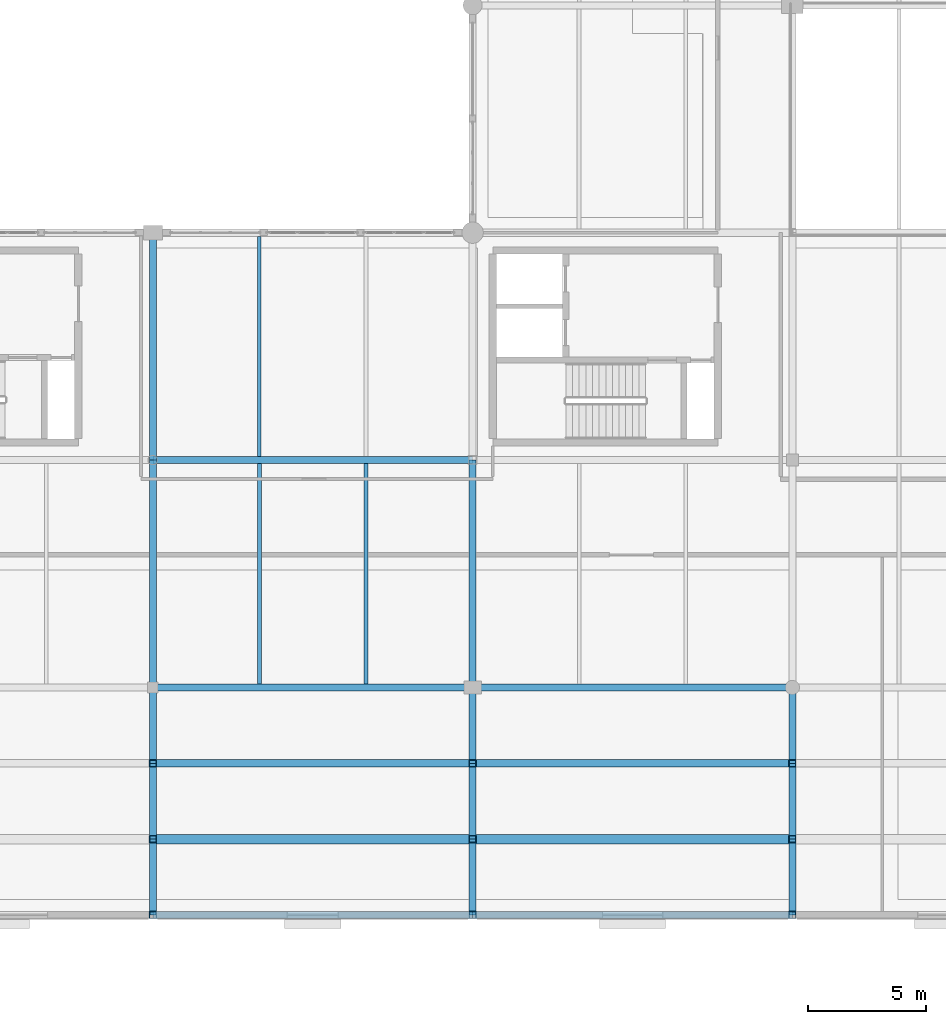
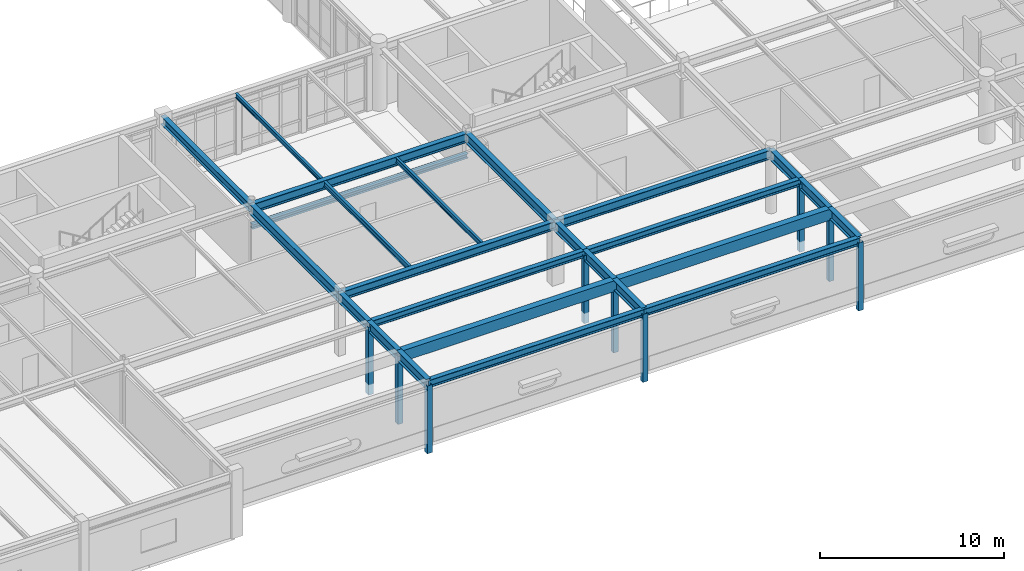
# One storey, part 8 of 61: 25 beams, 9 members.
"""IFC4 building model written with IfcOpenShell, lengths in metres."""

from ifc_helpers import new_model, si_unit, direction, frame, origin, origin_2d, place, context, subcontext, project, spatial, rectangle, hollow_rectangle, i_section, extrude, material, material_profile, profile_set, type_object, element, save


model = new_model("IFC4")

# Units and contexts
model_context = context("Model", 3, precision=1e-05, world=origin(), true_north=direction((0.0, 1.0)))
body_context = subcontext(model_context, "Body", "Model", "MODEL_VIEW")
ifc_project = project(units=[si_unit("LENGTHUNIT", "METRE"), si_unit("AREAUNIT", "SQUARE_METRE"), si_unit("VOLUMEUNIT", "CUBIC_METRE"), si_unit("PLANEANGLEUNIT", "RADIAN"), si_unit("MASSUNIT", "GRAM", prefix="KILO")], contexts=[model_context])

# Site, building, storey
site_placement = place(None, origin())
site = spatial("IfcSite", under=ifc_project, at=site_placement, CompositionType="ELEMENT")
building_placement = place(site_placement, origin())
building = spatial("IfcBuilding", under=site, at=building_placement, Name="Fikremerkos Civic Library", CompositionType="ELEMENT")
storey_placement = place(building_placement, frame((0.0, 0.0, 14.39990234375)))
storey = spatial("IfcBuildingStorey", under=building, at=storey_placement, Name="L03", CompositionType="ELEMENT", Elevation=14.39990234375)

# Beams
ifc_material_1 = material(Name="Steel S355", Category="steel")
ifc_material_profile_1 = material_profile(ifc_material_1, i_section(OverallWidth=0.169921875, OverallDepth=0.360107421875, WebThickness=0.008056640625, FlangeThickness=0.0126953125, FilletRadius=0.01806640625, at=origin_2d()), Name="IPE 360")
ifc_profile_set_1 = profile_set([ifc_material_profile_1], Name="Steel S355")
beam_type_1 = type_object("IfcBeamType", Name="Floor joist JS-09 IPE 360", PredefinedType="JOIST", material=ifc_profile_set_1)
beam_1_placement = place(storey_placement, frame((37.199951171875, 12.14990234375, 3.97998046875), z_axis=(0.0, 1.0, 0.0), x_axis=(-1.0, 0.0, 0.0)))
element("IfcBeam", 1, at=beam_1_placement, inside=storey, type_object=beam_type_1, Name="Floor joist JS-09 L03 #538", PredefinedType="JOIST", context=body_context, shape_type="SweptSolid", body=[
    extrude(i_section(OverallWidth=0.169921875, OverallDepth=0.360107421875, WebThickness=0.008056640625, FlangeThickness=0.0126953125, FilletRadius=0.01806640625, at=origin_2d()), origin(), (0.0, 0.0, 1.0), 9.300048828125),
])
ifc_material_profile_2 = material_profile(ifc_material_1, i_section(OverallWidth=0.159912109375, OverallDepth=0.330078125, WebThickness=0.007568359375, FlangeThickness=0.011474609375, FilletRadius=0.01806640625, at=origin_2d()), Name="IPE 330")
ifc_profile_set_2 = profile_set([ifc_material_profile_2], Name="Steel S355")
beam_type_2 = type_object("IfcBeamType", Name="Floor joist JS-10 IPE 330", PredefinedType="JOIST", material=ifc_profile_set_2)
beam_2_placement = place(storey_placement, frame((41.699951171875, 12.14990234375, 3.9951171875), z_axis=(0.0, 1.0, 0.0), x_axis=(-1.0, 0.0, 0.0)))
element("IfcBeam", 2, at=beam_2_placement, inside=storey, type_object=beam_type_2, Name="Floor joist JS-10 L03 #539", PredefinedType="JOIST", context=body_context, shape_type="SweptSolid", body=[
    extrude(i_section(OverallWidth=0.159912109375, OverallDepth=0.330078125, WebThickness=0.007568359375, FlangeThickness=0.011474609375, FilletRadius=0.01806640625, at=origin_2d()), origin(), (0.0, 0.0, 1.0), 9.300048828125),
])
ifc_material_profile_3 = material_profile(ifc_material_1, i_section(OverallWidth=0.14990234375, OverallDepth=0.300048828125, WebThickness=0.007080078125, FlangeThickness=0.0107421875, FilletRadius=0.014892578125, at=origin_2d()), Name="IPE 300")
ifc_profile_set_3 = profile_set([ifc_material_profile_3], Name="Steel S355")
beam_type_3 = type_object("IfcBeamType", Name="Floor joist JS-11 IPE 300", PredefinedType="JOIST", material=ifc_profile_set_3)
beam_3_placement = place(storey_placement, frame((37.199951171875, 21.75, 4.010009765625), z_axis=(0.0, 1.0, 0.0), x_axis=(-1.0, 0.0, 0.0)))
element("IfcBeam", 3, at=beam_3_placement, inside=storey, type_object=beam_type_3, Name="Floor joist JS-11 L03 #540", PredefinedType="JOIST", context=body_context, shape_type="SweptSolid", body=[
    extrude(i_section(OverallWidth=0.14990234375, OverallDepth=0.300048828125, WebThickness=0.007080078125, FlangeThickness=0.0107421875, FilletRadius=0.014892578125, at=origin_2d()), origin(), (0.0, 0.0, 1.0), 9.300048828125),
])

# Members
ifc_material_profile_4 = material_profile(ifc_material_1, hollow_rectangle(XDim=0.300048828125, YDim=0.300048828125, WallThickness=0.012451171875, at=origin_2d()), Name="SHS 300x300x12.5")
ifc_profile_set_4 = profile_set([ifc_material_profile_4], Name="Steel S355")
member_type = type_object("IfcMemberType", Name="Frame post PST-01 SHS 300x300x12.5", PredefinedType="POST", material=ifc_profile_set_4)
for number, where, z_axis, x_axis, name in (
    (4, (32.699951171875, 8.800048828125, -0.664794921875), (0.0, 0.0, 1.0), (1.0, 0.0, 0.0), "Cantilever frame post PST-01 L03 X=32.7 Y=8.8"),
    (5, (32.699951171875, 5.60009765625, -0.664794921875), (0.0, 0.0, 1.0), (1.0, 0.0, 0.0), "Cantilever frame post PST-01 L03 X=32.7 Y=5.6"),
    (6, (32.699951171875, 2.39990234375, -0.664794921875), (0.0, 0.0, 1.0), (1.0, 0.0, 0.0), "Cantilever frame post PST-01 L03 X=32.7 Y=2.4"),
    (7, (46.199951171875, 8.800048828125, -0.664794921875), (0.0, 0.0, 1.0), (1.0, 0.0, 0.0), "Cantilever frame post PST-01 L03 X=46.2 Y=8.8"),
    (8, (46.199951171875, 5.60009765625, -0.664794921875), (0.0, 0.0, 1.0), (1.0, 0.0, 0.0), "Cantilever frame post PST-01 L03 X=46.2 Y=5.6"),
    (9, (46.199951171875, 2.39990234375, -0.664794921875), (0.0, 0.0, 1.0), (1.0, 0.0, 0.0), "Cantilever frame post PST-01 L03 X=46.2 Y=2.4"),
    (10, (59.699951171875, 8.800048828125, -0.664794921875), (0.0, 0.0, 1.0), (1.0, 0.0, 0.0), "Cantilever frame post PST-01 L03 X=59.7 Y=8.8"),
    (11, (59.699951171875, 5.60009765625, -0.664794921875), (0.0, 0.0, 1.0), (1.0, 0.0, 0.0), "Cantilever frame post PST-01 L03 X=59.7 Y=5.6"),
    (12, (59.699951171875, 2.39990234375, -0.664794921875), (0.0, 0.0, 1.0), (1.0, 0.0, 0.0), "Cantilever frame post PST-01 L03 X=59.7 Y=2.4"),
):
    element("IfcMember", number, at=place(storey_placement, frame(where, z_axis=z_axis, x_axis=x_axis)), inside=storey, type_object=member_type, Name=name, PredefinedType="POST", context=body_context, shape_type="SweptSolid", body=[
        extrude(hollow_rectangle(XDim=0.300048828125, YDim=0.300048828125, WallThickness=0.012451171875, at=origin_2d()), origin(), (0.0, 0.0, 1.0), 4.5),
    ])

# Beams
ifc_material_profile_5 = material_profile(ifc_material_1, i_section(OverallWidth=0.300048828125, OverallDepth=0.2900390625, WebThickness=0.008544921875, FlangeThickness=0.013916015625, FilletRadius=0.027099609375, at=origin_2d()), Name="HEA 300")
ifc_profile_set_5 = profile_set([ifc_material_profile_5], Name="Steel S355")
beam_type_4 = type_object("IfcBeamType", Name="Opening lintel LNT-03 HEA 300", PredefinedType="LINTEL", material=ifc_profile_set_5)
beam_4_placement = place(storey_placement, frame((32.699951171875, 21.60009765625, 2.64501953125), z_axis=(1.0, 0.0, 0.0), x_axis=(0.0, 1.0, 0.0)))
element("IfcBeam", 13, at=beam_4_placement, inside=storey, type_object=beam_type_4, Name="Interior portal lintel LNT-03 L03 #11", PredefinedType="LINTEL", context=body_context, shape_type="SweptSolid", body=[
    extrude(i_section(OverallWidth=0.300048828125, OverallDepth=0.2900390625, WebThickness=0.008544921875, FlangeThickness=0.013916015625, FilletRadius=0.027099609375, at=origin_2d()), origin(), (0.0, 0.0, 1.0), 13.5),
])
ifc_material_profile_6 = material_profile(ifc_material_1, i_section(OverallWidth=0.300048828125, OverallDepth=0.64990234375, WebThickness=0.01611328125, FlangeThickness=0.031005859375, FilletRadius=0.027099609375, at=origin_2d()), Name="HEB 650")
ifc_profile_set_6 = profile_set([ifc_material_profile_6], Name="Steel S355")
beam_type_5 = type_object("IfcBeamType", Name="Primary girder BM-12 HEB 650", PredefinedType="BEAM", material=ifc_profile_set_6)
for number, where, z_axis, x_axis, name in (
    (14, (32.699951171875, 12.0, 3.835205078125), (0.0, 1.0, 0.0), (-1.0, 0.0, 0.0), "Primary girder BM-12 L03 grid 4"),
    (15, (46.199951171875, 12.0, 3.835205078125), (0.0, 1.0, 0.0), (-1.0, 0.0, 0.0), "Primary girder BM-12 L03 grid 5"),
):
    element("IfcBeam", number, at=place(storey_placement, frame(where, z_axis=z_axis, x_axis=x_axis)), inside=storey, type_object=beam_type_5, Name=name, PredefinedType="BEAM", context=body_context, shape_type="SweptSolid", body=[
        extrude(i_section(OverallWidth=0.300048828125, OverallDepth=0.64990234375, WebThickness=0.01611328125, FlangeThickness=0.031005859375, FilletRadius=0.027099609375, at=origin_2d()), origin(), (0.0, 0.0, 1.0), 9.60009765625),
    ])
ifc_material_profile_7 = material_profile(ifc_material_1, i_section(OverallWidth=0.300048828125, OverallDepth=0.60009765625, WebThickness=0.015380859375, FlangeThickness=0.030029296875, FilletRadius=0.027099609375, at=origin_2d()), Name="HEB 600")
ifc_profile_set_7 = profile_set([ifc_material_profile_7], Name="Steel S355")
beam_type_6 = type_object("IfcBeamType", Name="Primary girder BM-13 HEB 600", PredefinedType="BEAM", material=ifc_profile_set_7)
beam_5_placement = place(storey_placement, frame((32.699951171875, 21.60009765625, 3.860107421875), z_axis=(1.0, 0.0, 0.0), x_axis=(0.0, 1.0, 0.0)))
element("IfcBeam", 16, at=beam_5_placement, inside=storey, type_object=beam_type_6, Name="Primary girder BM-13 L03 grid F", PredefinedType="BEAM", context=body_context, shape_type="SweptSolid", body=[
    extrude(i_section(OverallWidth=0.300048828125, OverallDepth=0.60009765625, WebThickness=0.015380859375, FlangeThickness=0.030029296875, FilletRadius=0.027099609375, at=origin_2d()), origin(), (0.0, 0.0, 1.0), 13.5),
])
ifc_material_profile_8 = material_profile(ifc_material_1, i_section(OverallWidth=0.300048828125, OverallDepth=0.550048828125, WebThickness=0.014892578125, FlangeThickness=0.029052734375, FilletRadius=0.027099609375, at=origin_2d()), Name="HEB 550")
ifc_profile_set_8 = profile_set([ifc_material_profile_8], Name="Steel S355")
beam_type_7 = type_object("IfcBeamType", Name="Primary girder BM-14 HEB 550", PredefinedType="BEAM", material=ifc_profile_set_8)
beam_6_placement = place(storey_placement, frame((32.699951171875, 12.0, 3.885009765625), z_axis=(1.0, 0.0, 0.0), x_axis=(0.0, 1.0, 0.0)))
element("IfcBeam", 17, at=beam_6_placement, inside=storey, type_object=beam_type_7, Name="Primary girder BM-14 L03 grid E", PredefinedType="BEAM", context=body_context, shape_type="SweptSolid", body=[
    extrude(i_section(OverallWidth=0.300048828125, OverallDepth=0.550048828125, WebThickness=0.014892578125, FlangeThickness=0.029052734375, FilletRadius=0.027099609375, at=origin_2d()), origin(), (0.0, 0.0, 1.0), 13.5),
])
ifc_material_profile_9 = material_profile(ifc_material_1, i_section(OverallWidth=0.300048828125, OverallDepth=0.590087890625, WebThickness=0.012939453125, FlangeThickness=0.02490234375, FilletRadius=0.027099609375, at=origin_2d()), Name="HEA 600")
ifc_profile_set_9 = profile_set([ifc_material_profile_9], Name="Steel S355")
beam_type_8 = type_object("IfcBeamType", Name="Primary girder BM-15 HEA 600", PredefinedType="BEAM", material=ifc_profile_set_9)
beam_7_placement = place(storey_placement, frame((46.199951171875, 12.0, 3.864990234375), z_axis=(1.0, 0.0, 0.0), x_axis=(0.0, 1.0, 0.0)))
element("IfcBeam", 18, at=beam_7_placement, inside=storey, type_object=beam_type_8, Name="Primary girder BM-15 L03 grid E", PredefinedType="BEAM", context=body_context, shape_type="SweptSolid", body=[
    extrude(i_section(OverallWidth=0.300048828125, OverallDepth=0.590087890625, WebThickness=0.012939453125, FlangeThickness=0.02490234375, FilletRadius=0.027099609375, at=origin_2d()), origin(), (0.0, 0.0, 1.0), 13.5),
])
ifc_material_profile_10 = material_profile(ifc_material_1, i_section(OverallWidth=0.300048828125, OverallDepth=0.5400390625, WebThickness=0.012451171875, FlangeThickness=0.02392578125, FilletRadius=0.027099609375, at=origin_2d()), Name="HEA 550")
ifc_profile_set_10 = profile_set([ifc_material_profile_10], Name="Steel S355")
beam_type_9 = type_object("IfcBeamType", Name="Primary girder BM-16 HEA 550", PredefinedType="BEAM", material=ifc_profile_set_10)
beam_8_placement = place(storey_placement, frame((32.699951171875, 21.60009765625, 3.89013671875), z_axis=(0.0, 1.0, 0.0), x_axis=(-1.0, 0.0, 0.0)))
element("IfcBeam", 19, at=beam_8_placement, inside=storey, type_object=beam_type_9, Name="Primary girder BM-16 L03 grid 4", PredefinedType="BEAM", context=body_context, shape_type="SweptSolid", body=[
    extrude(i_section(OverallWidth=0.300048828125, OverallDepth=0.5400390625, WebThickness=0.012451171875, FlangeThickness=0.02392578125, FilletRadius=0.027099609375, at=origin_2d()), origin(), (0.0, 0.0, 1.0), 9.599853515625),
])
ifc_material_profile_11 = material_profile(ifc_material_1, i_section(OverallWidth=0.300048828125, OverallDepth=0.64990234375, WebThickness=0.01611328125, FlangeThickness=0.031005859375, FilletRadius=0.027099609375, at=origin_2d()), Name="HEB 650")
ifc_profile_set_11 = profile_set([ifc_material_profile_11], Name="Steel S355")
beam_type_10 = type_object("IfcBeamType", Name="Primary girder BM-21 HEB 650", PredefinedType="BEAM", material=ifc_profile_set_11)
for number, where, z_axis, x_axis, name in (
    (20, (32.699951171875, 12.0, 3.835205078125), (0.0, -1.0, 0.0), (1.0, 0.0, 0.0), "Cantilever girder BM-21 L03 X=32.7 #1"),
    (21, (32.699951171875, 8.800048828125, 3.835205078125), (0.0, -1.0, 0.0), (1.0, 0.0, 0.0), "Cantilever girder BM-21 L03 X=32.7 #2"),
):
    element("IfcBeam", number, at=place(storey_placement, frame(where, z_axis=z_axis, x_axis=x_axis)), inside=storey, type_object=beam_type_10, Name=name, PredefinedType="BEAM", context=body_context, shape_type="SweptSolid", body=[
        extrude(i_section(OverallWidth=0.300048828125, OverallDepth=0.64990234375, WebThickness=0.01611328125, FlangeThickness=0.031005859375, FilletRadius=0.027099609375, at=origin_2d()), origin(), (0.0, 0.0, 1.0), 3.199951171875),
    ])
beam_9_placement = place(storey_placement, frame((32.699951171875, 5.60009765625, 3.835205078125), z_axis=(0.0, -1.0, 0.0), x_axis=(1.0, 0.0, 0.0)))
element("IfcBeam", 22, at=beam_9_placement, inside=storey, type_object=beam_type_10, Name="Cantilever girder BM-21 L03 X=32.7 #3", PredefinedType="BEAM", context=body_context, shape_type="SweptSolid", body=[
    extrude(i_section(OverallWidth=0.300048828125, OverallDepth=0.64990234375, WebThickness=0.01611328125, FlangeThickness=0.031005859375, FilletRadius=0.027099609375, at=origin_2d()), origin(), (0.0, 0.0, 1.0), 3.2001953125),
])
for number, where, z_axis, x_axis, name in (
    (23, (46.199951171875, 12.0, 3.835205078125), (0.0, -1.0, 0.0), (1.0, 0.0, 0.0), "Cantilever girder BM-21 L03 X=46.2 #1"),
    (24, (46.199951171875, 8.800048828125, 3.835205078125), (0.0, -1.0, 0.0), (1.0, 0.0, 0.0), "Cantilever girder BM-21 L03 X=46.2 #2"),
):
    element("IfcBeam", number, at=place(storey_placement, frame(where, z_axis=z_axis, x_axis=x_axis)), inside=storey, type_object=beam_type_10, Name=name, PredefinedType="BEAM", context=body_context, shape_type="SweptSolid", body=[
        extrude(i_section(OverallWidth=0.300048828125, OverallDepth=0.64990234375, WebThickness=0.01611328125, FlangeThickness=0.031005859375, FilletRadius=0.027099609375, at=origin_2d()), origin(), (0.0, 0.0, 1.0), 3.199951171875),
    ])
beam_10_placement = place(storey_placement, frame((46.199951171875, 5.60009765625, 3.835205078125), z_axis=(0.0, -1.0, 0.0), x_axis=(1.0, 0.0, 0.0)))
element("IfcBeam", 25, at=beam_10_placement, inside=storey, type_object=beam_type_10, Name="Cantilever girder BM-21 L03 X=46.2 #3", PredefinedType="BEAM", context=body_context, shape_type="SweptSolid", body=[
    extrude(i_section(OverallWidth=0.300048828125, OverallDepth=0.64990234375, WebThickness=0.01611328125, FlangeThickness=0.031005859375, FilletRadius=0.027099609375, at=origin_2d()), origin(), (0.0, 0.0, 1.0), 3.2001953125),
])
for number, where, z_axis, x_axis, name in (
    (26, (59.699951171875, 12.0, 3.835205078125), (0.0, -1.0, 0.0), (1.0, 0.0, 0.0), "Cantilever girder BM-21 L03 X=59.7 #1"),
    (27, (59.699951171875, 8.800048828125, 3.835205078125), (0.0, -1.0, 0.0), (1.0, 0.0, 0.0), "Cantilever girder BM-21 L03 X=59.7 #2"),
):
    element("IfcBeam", number, at=place(storey_placement, frame(where, z_axis=z_axis, x_axis=x_axis)), inside=storey, type_object=beam_type_10, Name=name, PredefinedType="BEAM", context=body_context, shape_type="SweptSolid", body=[
        extrude(i_section(OverallWidth=0.300048828125, OverallDepth=0.64990234375, WebThickness=0.01611328125, FlangeThickness=0.031005859375, FilletRadius=0.027099609375, at=origin_2d()), origin(), (0.0, 0.0, 1.0), 3.199951171875),
    ])
beam_11_placement = place(storey_placement, frame((59.699951171875, 5.60009765625, 3.835205078125), z_axis=(0.0, -1.0, 0.0), x_axis=(1.0, 0.0, 0.0)))
element("IfcBeam", 28, at=beam_11_placement, inside=storey, type_object=beam_type_10, Name="Cantilever girder BM-21 L03 X=59.7 #3", PredefinedType="BEAM", context=body_context, shape_type="SweptSolid", body=[
    extrude(i_section(OverallWidth=0.300048828125, OverallDepth=0.64990234375, WebThickness=0.01611328125, FlangeThickness=0.031005859375, FilletRadius=0.027099609375, at=origin_2d()), origin(), (0.0, 0.0, 1.0), 3.2001953125),
])
ifc_material_2 = material(Name="Concrete C40/50", Category="concrete")
ifc_material_profile_12 = material_profile(ifc_material_2, rectangle(XDim=0.39990234375, YDim=0.719970703125, at=origin_2d()), Name="RC 400x720")
ifc_profile_set_12 = profile_set([ifc_material_profile_12], Name="Concrete C40/50")
beam_type_11 = type_object("IfcBeamType", Name="Spandrel edge beam SPB-03 RC 400x720", PredefinedType="SPANDREL", material=ifc_profile_set_12)
for number, where, z_axis, x_axis, name in (
    (29, (32.699951171875, 5.60009765625, 3.800048828125), (1.0, 0.0, 0.0), (0.0, 1.0, 0.0), "Spandrel edge beam SPB-03 L03 Y=5.6 bay 2"),
    (30, (46.199951171875, 5.60009765625, 3.800048828125), (1.0, 0.0, 0.0), (0.0, 1.0, 0.0), "Spandrel edge beam SPB-03 L03 Y=5.6 bay 3"),
):
    element("IfcBeam", number, at=place(storey_placement, frame(where, z_axis=z_axis, x_axis=x_axis)), inside=storey, type_object=beam_type_11, Name=name, PredefinedType="SPANDREL", context=body_context, shape_type="SweptSolid", body=[
        extrude(rectangle(XDim=0.39990234375, YDim=0.719970703125, at=origin_2d()), origin(), (0.0, 0.0, 1.0), 13.5),
    ])
ifc_material_profile_13 = material_profile(ifc_material_1, i_section(OverallWidth=0.300048828125, OverallDepth=0.489990234375, WebThickness=0.011962890625, FlangeThickness=0.02294921875, FilletRadius=0.027099609375, at=origin_2d()), Name="HEA 500")
ifc_profile_set_13 = profile_set([ifc_material_profile_13], Name="Steel S355")
beam_type_12 = type_object("IfcBeamType", Name="Spandrel edge beam SPB-04 HEA 500", PredefinedType="SPANDREL", material=ifc_profile_set_13)
for number, where, z_axis, x_axis, name in (
    (31, (32.699951171875, 2.39990234375, 3.9150390625), (1.0, 0.0, 0.0), (0.0, 1.0, 0.0), "Spandrel edge beam SPB-04 L03 Y=2.4 bay 2"),
    (32, (46.199951171875, 2.39990234375, 3.9150390625), (1.0, 0.0, 0.0), (0.0, 1.0, 0.0), "Spandrel edge beam SPB-04 L03 Y=2.4 bay 3"),
):
    element("IfcBeam", number, at=place(storey_placement, frame(where, z_axis=z_axis, x_axis=x_axis)), inside=storey, type_object=beam_type_12, Name=name, PredefinedType="SPANDREL", context=body_context, shape_type="SweptSolid", body=[
        extrude(i_section(OverallWidth=0.300048828125, OverallDepth=0.489990234375, WebThickness=0.011962890625, FlangeThickness=0.02294921875, FilletRadius=0.027099609375, at=origin_2d()), origin(), (0.0, 0.0, 1.0), 13.5),
    ])
ifc_material_profile_14 = material_profile(ifc_material_1, i_section(OverallWidth=0.300048828125, OverallDepth=0.43994140625, WebThickness=0.011474609375, FlangeThickness=0.02099609375, FilletRadius=0.027099609375, at=origin_2d()), Name="HEA 450")
ifc_profile_set_14 = profile_set([ifc_material_profile_14], Name="Steel S355")
beam_type_13 = type_object("IfcBeamType", Name="Spandrel edge beam SPB-05 HEA 450", PredefinedType="SPANDREL", material=ifc_profile_set_14)
for number, where, z_axis, x_axis, name in (
    (33, (32.699951171875, 8.800048828125, 3.940185546875), (1.0, 0.0, 0.0), (0.0, 1.0, 0.0), "Spandrel edge beam SPB-05 L03 Y=8.8 bay 2"),
    (34, (46.199951171875, 8.800048828125, 3.940185546875), (1.0, 0.0, 0.0), (0.0, 1.0, 0.0), "Spandrel edge beam SPB-05 L03 Y=8.8 bay 3"),
):
    element("IfcBeam", number, at=place(storey_placement, frame(where, z_axis=z_axis, x_axis=x_axis)), inside=storey, type_object=beam_type_13, Name=name, PredefinedType="SPANDREL", context=body_context, shape_type="SweptSolid", body=[
        extrude(i_section(OverallWidth=0.300048828125, OverallDepth=0.43994140625, WebThickness=0.011474609375, FlangeThickness=0.02099609375, FilletRadius=0.027099609375, at=origin_2d()), origin(), (0.0, 0.0, 1.0), 13.5),
    ])

save(model, "model.ifc")
